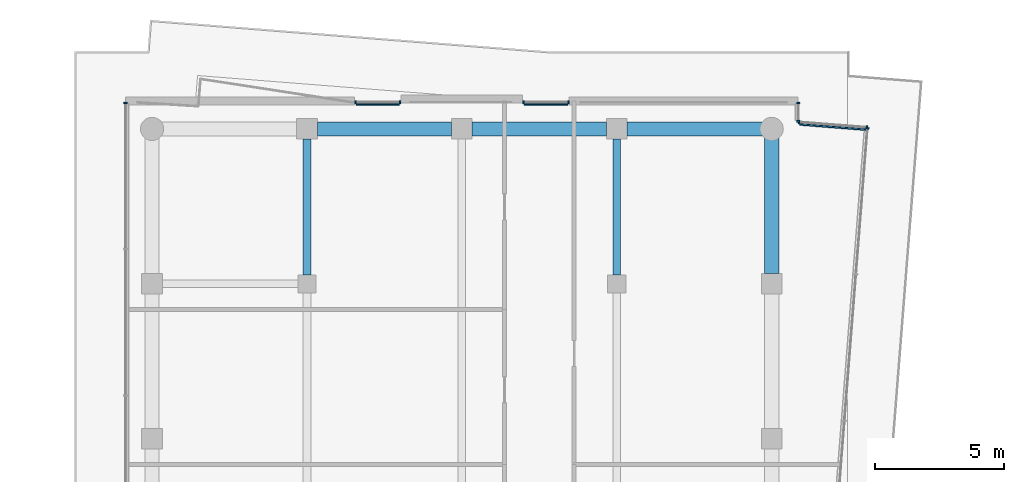
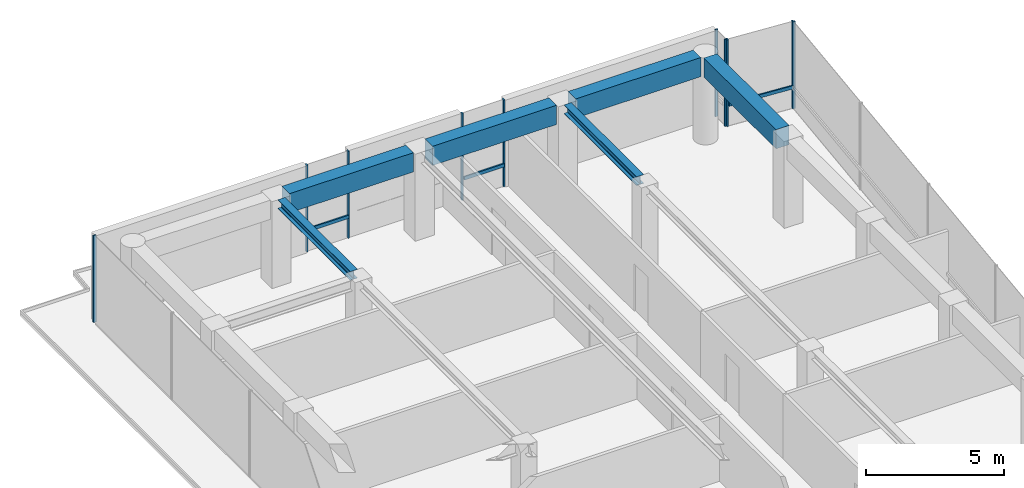
# One storey, part 15 of 23: 13 members, 6 beams, 6 elements without a shape of their own.
"""IFC4 building model written with IfcOpenShell, lengths in metres."""

from ifc_helpers import new_model, si_unit, direction, frame, origin, origin_2d, place, context, subcontext, project, spatial, rectangle, i_section, extrude, material, layer, layer_set, material_profile, profile_set, type_object, element, aggregate, save


model = new_model("IFC4")

# Units and contexts
model_context = context("Model", 3, precision=1e-05, world=origin(), true_north=direction((0.0, 1.0)))
body_context = subcontext(model_context, "Body", "Model", "MODEL_VIEW")
ifc_project = project(units=[si_unit("LENGTHUNIT", "METRE"), si_unit("AREAUNIT", "SQUARE_METRE"), si_unit("VOLUMEUNIT", "CUBIC_METRE"), si_unit("PLANEANGLEUNIT", "RADIAN"), si_unit("MASSUNIT", "GRAM", prefix="KILO")], contexts=[model_context])

# Site, building, storey
site_placement = place(None, origin())
site = spatial("IfcSite", under=ifc_project, at=site_placement, CompositionType="ELEMENT")
building_placement = place(site_placement, origin())
building = spatial("IfcBuilding", under=site, at=building_placement, Name="Welwitschia Terrace Campus", CompositionType="ELEMENT")
storey_placement = place(building_placement, frame((0.0, 0.0, 247.39990234375)))
storey = spatial("IfcBuildingStorey", under=building, at=storey_placement, Name="L55", CompositionType="ELEMENT", Elevation=247.39990234375)

# Beams
ifc_material_1 = material(Name="Steel S355", Category="steel")
ifc_material_profile_1 = material_profile(ifc_material_1, i_section(OverallWidth=0.300048828125, OverallDepth=0.389892578125, WebThickness=0.010986328125, FlangeThickness=0.01904296875, FilletRadius=0.027099609375, at=origin_2d()))
ifc_profile_set_1 = profile_set([ifc_material_profile_1], Name="Steel S355")
beam_type_1 = type_object("IfcBeamType", Name="Interior girder HE 400 A", PredefinedType="BEAM", material=ifc_profile_set_1)
for number, where, z_axis, x_axis, name in (
    (1, (6.0, 64.3505859375, 3.655029296875), (0.0, 1.0, 0.0), (-1.0, 0.0, 0.0), "Girder GB5"),
    (2, (18.0, 64.3505859375, 3.655029296875), (0.0, 1.0, 0.0), (-1.0, 0.0, 0.0), "Girder GB5"),
):
    element("IfcBeam", number, at=place(storey_placement, frame(where, z_axis=z_axis, x_axis=x_axis)), inside=storey, type_object=beam_type_1, Name=name, PredefinedType="BEAM", context=body_context, shape_type="SweptSolid", body=[
        extrude(i_section(OverallWidth=0.300048828125, OverallDepth=0.389892578125, WebThickness=0.010986328125, FlangeThickness=0.01904296875, FilletRadius=0.027099609375, at=origin_2d()), origin(), (0.0, 0.0, 1.0), 5.259033203125),
    ])

# Curtain wall, member
ifc_material_2 = material(Name="Bronze anodised aluminium", Category="aluminium")
ifc_layer = layer(ifc_material_2, 0.1201171875)
ifc_layer_set = layer_set([ifc_layer], Name="Bronze anodised aluminium")
curtain_wall_type = type_object("IfcCurtainWallType", Name="Curtain wall CW2 tower 6000", PredefinedType="NOTDEFINED", material=ifc_layer_set)
curtain_wall_1_placement = place(storey_placement, origin())
curtain_wall_1 = element("IfcCurtainWall", 3, at=curtain_wall_1_placement, inside=storey, type_object=curtain_wall_type, Name="CW L55.0.0", PredefinedType="NOTDEFINED")
ifc_material_3 = material(Name="Bronze anodised aluminium", Category="aluminium")
ifc_material_profile_2 = material_profile(ifc_material_3, rectangle(XDim=0.1201171875, YDim=0.06005859375, at=origin_2d()))
ifc_profile_set_2 = profile_set([ifc_material_profile_2], Name="Bronze anodised aluminium")
member_type_1 = type_object("IfcMemberType", Name="Mullion 60x120", PredefinedType="MULLION", material=ifc_profile_set_2)
member_1_placement = place(storey_placement, frame((-1.030029296875, 71.0, 0.0), z_axis=(0.0, 0.0, 1.0), x_axis=(1.0, 0.0, 0.0)))
member_1 = element("IfcMember", 4, at=member_1_placement, type_object=member_type_1, Name="Mullion L55.0.0.0", PredefinedType="MULLION", context=body_context, shape_type="SweptSolid", body=[
    extrude(rectangle(XDim=0.1201171875, YDim=0.06005859375, at=origin_2d()), origin(), (0.0, 0.0, 1.0), 3.85009765625),
])
aggregate(curtain_wall_1, [member_1])

curtain_wall_2_placement = place(storey_placement, origin())
curtain_wall_2 = element("IfcCurtainWall", 5, at=curtain_wall_2_placement, inside=storey, type_object=curtain_wall_type, Name="CW L55.8.0", PredefinedType="NOTDEFINED")
member_2_placement = place(storey_placement, frame((27.71142578125, 70.02587890625, 0.0), z_axis=(0.0, 0.0, 1.0), x_axis=(-0.996917333733, 0.078459095728, 0.0)))
member_2 = element("IfcMember", 6, at=member_2_placement, type_object=member_type_1, Name="Mullion L55.8.0.6", PredefinedType="MULLION", context=body_context, shape_type="SweptSolid", body=[
    extrude(rectangle(XDim=0.1201171875, YDim=0.06005859375, at=origin_2d()), origin(), (0.0, 0.0, 1.0), 3.85009765625),
])
aggregate(curtain_wall_2, [member_2])

# Curtain wall, members
curtain_wall_3_placement = place(storey_placement, origin())
curtain_wall_3 = element("IfcCurtainWall", 7, at=curtain_wall_3_placement, inside=storey, type_object=curtain_wall_type, Name="CW L55.9.0", PredefinedType="NOTDEFINED")
member_3_placement = place(storey_placement, frame((27.68408203125, 70.05810546875, 0.0), z_axis=(0.0, 0.0, 1.0), x_axis=(-0.078459095728, -0.996917333733, 0.0)))
member_3 = element("IfcMember", 8, at=member_3_placement, type_object=member_type_1, Name="Mullion L55.9.0.0", PredefinedType="MULLION", context=body_context, shape_type="SweptSolid", body=[
    extrude(rectangle(XDim=0.1201171875, YDim=0.06005859375, at=origin_2d()), origin(), (0.0, 0.0, 1.0), 3.85009765625),
])
member_4_placement = place(storey_placement, frame((25.059814453125, 70.2646484375, 0.0), z_axis=(0.0, 0.0, 1.0), x_axis=(-0.078459095728, -0.996917333733, 0.0)))
member_4 = element("IfcMember", 9, at=member_4_placement, type_object=member_type_1, Name="Mullion L55.9.0.1", PredefinedType="MULLION", context=body_context, shape_type="SweptSolid", body=[
    extrude(rectangle(XDim=0.1201171875, YDim=0.06005859375, at=origin_2d()), origin(), (0.0, 0.0, 1.0), 3.85009765625),
])

curtain_wall_4_placement = place(storey_placement, origin())
curtain_wall_4 = element("IfcCurtainWall", 10, at=curtain_wall_4_placement, inside=storey, type_object=curtain_wall_type, Name="CW L55.10.0", PredefinedType="NOTDEFINED")
member_5_placement = place(storey_placement, frame((25.030029296875, 70.296875, 0.0), z_axis=(0.0, 0.0, 1.0), x_axis=(-1.0, 0.0, 0.0)))
member_5 = element("IfcMember", 11, at=member_5_placement, type_object=member_type_1, Name="Mullion L55.10.0.0", PredefinedType="MULLION", context=body_context, shape_type="SweptSolid", body=[
    extrude(rectangle(XDim=0.1201171875, YDim=0.06005859375, at=origin_2d()), origin(), (0.0, 0.0, 1.0), 3.85009765625),
])
member_6_placement = place(storey_placement, frame((25.030029296875, 71.0, 0.0), z_axis=(0.0, 0.0, 1.0), x_axis=(-1.0, 0.0, 0.0)))
member_6 = element("IfcMember", 12, at=member_6_placement, type_object=member_type_1, Name="Mullion L55.10.0.1", PredefinedType="MULLION", context=body_context, shape_type="SweptSolid", body=[
    extrude(rectangle(XDim=0.1201171875, YDim=0.06005859375, at=origin_2d()), origin(), (0.0, 0.0, 1.0), 3.85009765625),
])
aggregate(curtain_wall_4, [member_5, member_6])

curtain_wall_5_placement = place(storey_placement, origin())
curtain_wall_5 = element("IfcCurtainWall", 13, at=curtain_wall_5_placement, inside=storey, type_object=curtain_wall_type, Name="CW L55.11.S0", PredefinedType="NOTDEFINED")
member_7_placement = place(storey_placement, frame((16.12744140625, 71.030029296875, 0.0), z_axis=(0.0, 0.0, 1.0), x_axis=(0.0, -1.0, 0.0)))
member_7 = element("IfcMember", 14, at=member_7_placement, type_object=member_type_1, Name="Mullion L55.11.S0.0", PredefinedType="MULLION", context=body_context, shape_type="SweptSolid", body=[
    extrude(rectangle(XDim=0.1201171875, YDim=0.06005859375, at=origin_2d()), origin(), (0.0, 0.0, 1.0), 3.85009765625),
])
member_8_placement = place(storey_placement, frame((14.387451171875, 71.030029296875, 0.0), z_axis=(0.0, 0.0, 1.0), x_axis=(0.0, -1.0, 0.0)))
member_8 = element("IfcMember", 15, at=member_8_placement, type_object=member_type_1, Name="Mullion L55.11.S0.1", PredefinedType="MULLION", context=body_context, shape_type="SweptSolid", body=[
    extrude(rectangle(XDim=0.1201171875, YDim=0.06005859375, at=origin_2d()), origin(), (0.0, 0.0, 1.0), 3.85009765625),
])

curtain_wall_6_placement = place(storey_placement, origin())
curtain_wall_6 = element("IfcCurtainWall", 16, at=curtain_wall_6_placement, inside=storey, type_object=curtain_wall_type, Name="CW L55.11.S1", PredefinedType="NOTDEFINED")
member_9_placement = place(storey_placement, frame((9.612548828125, 71.030029296875, 0.0), z_axis=(0.0, 0.0, 1.0), x_axis=(0.0, -1.0, 0.0)))
member_9 = element("IfcMember", 17, at=member_9_placement, type_object=member_type_1, Name="Mullion L55.11.S1.0", PredefinedType="MULLION", context=body_context, shape_type="SweptSolid", body=[
    extrude(rectangle(XDim=0.1201171875, YDim=0.06005859375, at=origin_2d()), origin(), (0.0, 0.0, 1.0), 3.85009765625),
])
member_10_placement = place(storey_placement, frame((7.87255859375, 71.030029296875, 0.0), z_axis=(0.0, 0.0, 1.0), x_axis=(0.0, -1.0, 0.0)))
member_10 = element("IfcMember", 18, at=member_10_placement, type_object=member_type_1, Name="Mullion L55.11.S1.1", PredefinedType="MULLION", context=body_context, shape_type="SweptSolid", body=[
    extrude(rectangle(XDim=0.1201171875, YDim=0.06005859375, at=origin_2d()), origin(), (0.0, 0.0, 1.0), 3.85009765625),
])

# Beams
ifc_material_4 = material(Name="Concrete C50/60", Category="concrete")
ifc_material_profile_3 = material_profile(ifc_material_4, rectangle(XDim=0.550048828125, YDim=0.85009765625, at=origin_2d()))
ifc_profile_set_3 = profile_set([ifc_material_profile_3], Name="Concrete C50/60")
beam_type_2 = type_object("IfcBeamType", Name="Ring spandrel 550x850", PredefinedType="SPANDREL", material=ifc_profile_set_3)
for number, where, z_axis, x_axis, name in (
    (19, (24.0, 64.400390625, 3.425048828125), (0.0, 1.0, 0.0), (-1.0, 0.0, 0.0), "Spandrel SP3"),
    (20, (23.64306640625, 70.0, 3.425048828125), (-1.0, 0.0, 0.0), (0.0, -1.0, 0.0), "Spandrel SP3"),
):
    element("IfcBeam", number, at=place(storey_placement, frame(where, z_axis=z_axis, x_axis=x_axis)), inside=storey, type_object=beam_type_2, Name=name, PredefinedType="SPANDREL", context=body_context, shape_type="SweptSolid", body=[
        extrude(rectangle(XDim=0.550048828125, YDim=0.85009765625, at=origin_2d()), origin(), (0.0, 0.0, 1.0), 5.24267578125),
    ])
for number, where, z_axis, x_axis, name in (
    (21, (17.599609375, 70.0, 3.425048828125), (-1.0, 0.0, 0.0), (0.0, -1.0, 0.0), "Spandrel SP3"),
    (22, (11.599609375, 70.0, 3.425048828125), (-1.0, 0.0, 0.0), (0.0, -1.0, 0.0), "Spandrel SP3"),
):
    element("IfcBeam", number, at=place(storey_placement, frame(where, z_axis=z_axis, x_axis=x_axis)), inside=storey, type_object=beam_type_2, Name=name, PredefinedType="SPANDREL", context=body_context, shape_type="SweptSolid", body=[
        extrude(rectangle(XDim=0.550048828125, YDim=0.85009765625, at=origin_2d()), origin(), (0.0, 0.0, 1.0), 5.19921875),
    ])

# Member
ifc_material_5 = material(Name="Bronze anodised aluminium", Category="aluminium")
ifc_material_profile_4 = material_profile(ifc_material_5, rectangle(XDim=0.06005859375, YDim=0.14990234375, at=origin_2d()))
ifc_profile_set_4 = profile_set([ifc_material_profile_4], Name="Bronze anodised aluminium")
member_type_2 = type_object("IfcMemberType", Name="Transom 60x150", PredefinedType="USERDEFINED", material=ifc_profile_set_4)
member_11_placement = place(storey_placement, frame((27.64697265625, 69.970703125, 1.0), z_axis=(-0.996921816526, 0.078402115629, 0.0), x_axis=(-0.078402115629, -0.996921816526, 0.0)))
member_11 = element("IfcMember", 23, at=member_11_placement, type_object=member_type_2, Name="Transom L55.9.0", ObjectType="TRANSOM", PredefinedType="USERDEFINED", context=body_context, shape_type="SweptSolid", body=[
    extrude(rectangle(XDim=0.06005859375, YDim=0.14990234375, at=origin_2d()), origin(), (0.0, 0.0, 1.0), 2.572021484375),
])

aggregate(curtain_wall_3, [member_3, member_4, member_11])

member_12_placement = place(storey_placement, frame((16.097412109375, 70.93994140625, 1.0), z_axis=(-1.0, 0.0, 0.0), x_axis=(0.0, -1.0, 0.0)))
member_12 = element("IfcMember", 24, at=member_12_placement, type_object=member_type_2, Name="Transom L55.11.S0", ObjectType="TRANSOM", PredefinedType="USERDEFINED", context=body_context, shape_type="SweptSolid", body=[
    extrude(rectangle(XDim=0.06005859375, YDim=0.14990234375, at=origin_2d()), origin(), (0.0, 0.0, 1.0), 1.679931640625),
])

aggregate(curtain_wall_5, [member_7, member_8, member_12])

member_13_placement = place(storey_placement, frame((9.58251953125, 70.93994140625, 1.0), z_axis=(-1.0, 0.0, 0.0), x_axis=(0.0, -1.0, 0.0)))
member_13 = element("IfcMember", 25, at=member_13_placement, type_object=member_type_2, Name="Transom L55.11.S1", ObjectType="TRANSOM", PredefinedType="USERDEFINED", context=body_context, shape_type="SweptSolid", body=[
    extrude(rectangle(XDim=0.06005859375, YDim=0.14990234375, at=origin_2d()), origin(), (0.0, 0.0, 1.0), 1.679931640625),
])

aggregate(curtain_wall_6, [member_9, member_10, member_13])

save(model, "model.ifc")
